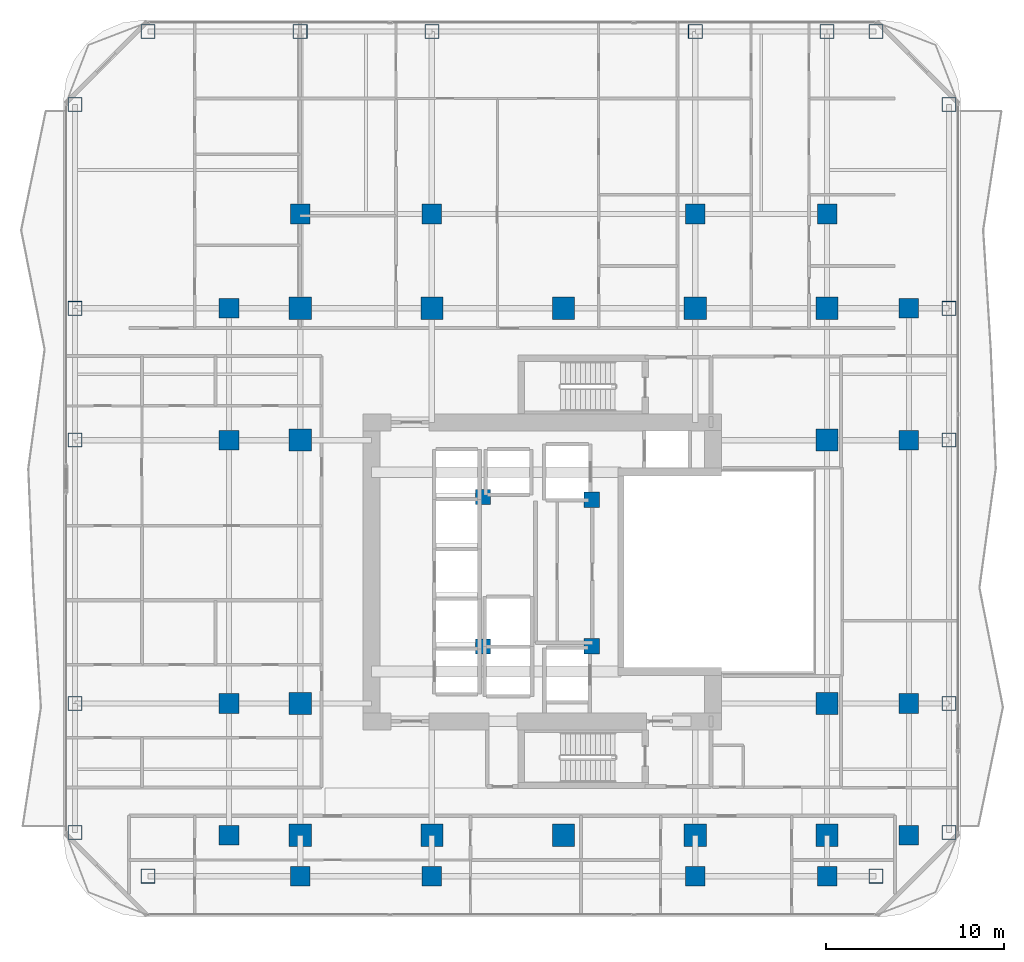
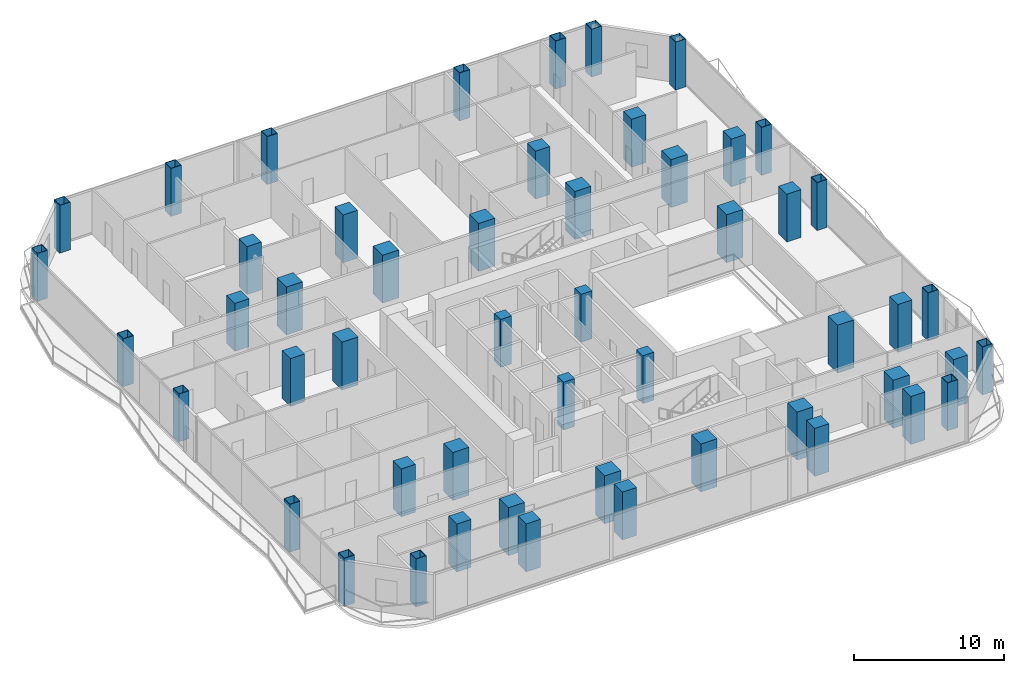
# One storey, part 1 of 27: 52 columns.
"""IFC4 building model written with IfcOpenShell, lengths in metres."""

import ifcopenshell
import ifcopenshell.guid

model = None  # the IFC model being written
_history = None  # IfcOwnerHistory: only IFC2X3 demands one
_inside = {}  # id of a spatial element -> (the spatial element, [elements in it])
_under = {}  # id of a project, library or spatial element -> (it, [spatial elements below it])
_declared = {}  # id of a project -> (the project, [libraries it declares])
_typed = {}  # id of a type object -> (the type object, [elements of that type])
_made_of = {}  # id of a material, layer set ... -> (it, [elements and type objects made of it])


def new_model(schema):
    """Start an empty IFC model of exactly this schema.

    Asked for "IFC4X3", IfcOpenShell would pick the latest addendum, in which some entities
    have other attributes; the version numbers below select the first issue.
    IFC2X3 requires an IfcOwnerHistory on every rooted entity: one is made here for all.
    """
    global model, _history
    if schema == "IFC4X3":
        model = ifcopenshell.file(schema_version=(4, 3, 0, 0))
    else:
        model = ifcopenshell.file(schema=schema)
    _inside.clear()
    _under.clear()
    _declared.clear()
    _typed.clear()
    _made_of.clear()
    _history = None
    if model.schema == "IFC2X3":
        org = make("IfcOrganization", Name="unknown")
        user = make(
            "IfcPersonAndOrganization",
            ThePerson=make("IfcPerson", FamilyName="unknown"),
            TheOrganization=org,
        )
        app = make(
            "IfcApplication",
            ApplicationDeveloper=org,
            Version="unknown",
            ApplicationFullName="unknown",
            ApplicationIdentifier="unknown",
        )
        _history = make(
            "IfcOwnerHistory",
            OwningUser=user,
            OwningApplication=app,
            ChangeAction="ADDED",
            CreationDate=0,
        )
    return model


def make(cls, **values):
    """One entity of the class cls with the attributes given. An attribute that is None is left unset."""
    return model.create_entity(
        cls, **{name: value for name, value in values.items() if value is not None}
    )


def rooted(cls, **values):
    """An entity with a GlobalId (a new one), such as an element, a storey or a relation."""
    return make(cls, GlobalId=ifcopenshell.guid.new(), OwnerHistory=_history, **values)


def si_unit(unit_type, name, prefix=None):
    """IfcSIUnit, for example si_unit("LENGTHUNIT", "METRE", prefix="MILLI")."""
    return make("IfcSIUnit", UnitType=unit_type, Prefix=prefix, Name=name)


def assignment(units):
    """IfcUnitAssignment: the units of a project."""
    return None if units is None else make("IfcUnitAssignment", Units=units)


def point(xyz):
    """IfcCartesianPoint."""
    return None if xyz is None else make("IfcCartesianPoint", Coordinates=xyz)


def direction(xyz):
    """IfcDirection."""
    return None if xyz is None else make("IfcDirection", DirectionRatios=xyz)


def frame(location, z_axis=None, x_axis=None):
    """IfcAxis2Placement3D, a coordinate frame: its origin and axes. An axis left out is left unset."""
    return make(
        "IfcAxis2Placement3D",
        Location=point(location),
        Axis=direction(z_axis),
        RefDirection=direction(x_axis),
    )


def frame_2d(location, x_axis=None):
    """IfcAxis2Placement2D, a coordinate frame in the plane: its origin and x axis."""
    return make(
        "IfcAxis2Placement2D", Location=point(location), RefDirection=direction(x_axis)
    )


def origin():
    """The frame at (0, 0, 0) with its axes left unset."""
    return frame((0.0, 0.0, 0.0))


def origin_2d():
    """The frame at (0, 0) in the plane with its x axis left unset."""
    return frame_2d((0.0, 0.0))


def place(relative_to, where):
    """IfcLocalPlacement: puts the frame where relative to a parent placement (None: the world)."""
    return make(
        "IfcLocalPlacement", PlacementRelTo=relative_to, RelativePlacement=where
    )


def context(
    kind, dimensions, precision=None, world=None, true_north=None, identifier=None
):
    """IfcGeometricRepresentationContext, for example the 3D "Model" context."""
    return make(
        "IfcGeometricRepresentationContext",
        ContextIdentifier=identifier,
        ContextType=kind,
        CoordinateSpaceDimension=dimensions,
        Precision=precision,
        WorldCoordinateSystem=world,
        TrueNorth=true_north,
    )


def subcontext(parent, identifier, kind, view, scale=None):
    """IfcGeometricRepresentationSubContext, for example "Body" below "Model"."""
    return make(
        "IfcGeometricRepresentationSubContext",
        ContextIdentifier=identifier,
        ContextType=kind,
        ParentContext=parent,
        TargetScale=scale,
        TargetView=view,
    )


def project(units=None, contexts=None):
    """IfcProject with its units and contexts."""
    return rooted(
        "IfcProject",
        Name="project",
        RepresentationContexts=contexts,
        UnitsInContext=assignment(units),
    )


def spatial(cls, under=None, at=None, **own):
    """A site, building, storey or space (cls), placed at a placement, below another one or the project."""
    s = rooted(cls, ObjectPlacement=at, **own)
    if under is not None:
        _under.setdefault(under.id(), (under, []))[1].append(s)
    return s


def profile(cls, at=None, kind="AREA", **sizes):
    """A parametric profile (cls). Its sizes go by their IFC names, for example OverallWidth=200.0."""
    return make(cls, ProfileType=kind, Position=at, **sizes)


def rectangle(**sizes):
    """IfcRectangleProfileDef."""
    return profile("IfcRectangleProfileDef", **sizes)


def hollow_rectangle(**sizes):
    """IfcRectangleHollowProfileDef."""
    return profile("IfcRectangleHollowProfileDef", **sizes)


def extrude(swept, where, along, depth):
    """IfcExtrudedAreaSolid: the profile swept, set in the frame where, extruded along a direction by depth."""
    return make(
        "IfcExtrudedAreaSolid",
        SweptArea=swept,
        Position=where,
        ExtrudedDirection=direction(along),
        Depth=depth,
    )


def shape(context_of_items, identifier, shape_type, items):
    """IfcShapeRepresentation: the items that make up one representation, for example the "Body"."""
    return make(
        "IfcShapeRepresentation",
        ContextOfItems=context_of_items,
        RepresentationIdentifier=identifier,
        RepresentationType=shape_type,
        Items=items,
    )


def material(Name=None, Category=None):
    """IfcMaterial."""
    return make("IfcMaterial", Name=Name, Category=Category)


def material_profile(
    of_material, cross_section, Name=None, Category=None, Priority=None
):
    """IfcMaterialProfile: a cross section and its material."""
    return make(
        "IfcMaterialProfile",
        Name=Name,
        Material=of_material,
        Profile=cross_section,
        Priority=Priority,
        Category=Category,
    )


def profile_set(profiles, Name=None, composite=None):
    """IfcMaterialProfileSet."""
    return make(
        "IfcMaterialProfileSet",
        Name=Name,
        MaterialProfiles=profiles,
        CompositeProfile=composite,
    )


def made_of(thing, what):
    """Note that an element or type object is made of a material, layer set ...; save() writes the relation."""
    if what is not None:
        _made_of.setdefault(what.id(), (what, []))[1].append(thing)
    return thing


def type_object(cls, material=None, **own):
    """A type object (cls), such as IfcWallType, which elements share."""
    return made_of(rooted(cls, **own), material)


def element(
    cls,
    number,
    at=None,
    inside=None,
    cuts=None,
    type_object=None,
    material=None,
    context=None,
    identifier="Body",
    shape_type=None,
    held_by="IfcProductDefinitionShape",
    body=None,
    shapes=None,
    **own,
):
    """One element of the class cls, such as IfcWall. Its Tag is "e" and its number.

    at: its placement. inside: the storey or other place that contains it. cuts: it is an
    opening in that element (IfcRelVoidsElement). A single representation is given by context,
    identifier, shape_type and body (its items); several are given by shapes. held_by: the class
    of the entity that holds the representations. save() writes the other relations.
    """
    e = rooted(cls, Tag="e%d" % number, ObjectPlacement=at, **own)
    if body is not None:
        shapes = [shape(context, identifier, shape_type, body)]
    if shapes is not None:
        e.Representation = make(held_by, Representations=shapes)
    if inside is not None:
        _inside.setdefault(inside.id(), (inside, []))[1].append(e)
    if cuts is not None:
        rooted(
            "IfcRelVoidsElement", RelatingBuildingElement=cuts, RelatedOpeningElement=e
        )
    if type_object is not None:
        _typed.setdefault(type_object.id(), (type_object, []))[1].append(e)
    return made_of(e, material)


def aggregate(whole, parts):
    """IfcRelAggregates: a whole, such as a stair, and the parts it consists of."""
    return rooted("IfcRelAggregates", RelatingObject=whole, RelatedObjects=parts)


def save(model, path):
    """Write the relations noted so far, then the file.

    IfcRelAggregates (storeys below a building ...), IfcRelContainedInSpatialStructure (elements
    in a storey), IfcRelDefinesByType, IfcRelAssociatesMaterial and IfcRelDeclares: one each for
    every whole, place, type object, material and project.
    """
    for whole, parts in _under.values():
        aggregate(whole, parts)
    for where, things in _inside.values():
        rooted(
            "IfcRelContainedInSpatialStructure",
            RelatedElements=things,
            RelatingStructure=where,
        )
    for kind, things in _typed.values():
        rooted("IfcRelDefinesByType", RelatedObjects=things, RelatingType=kind)
    for what, things in _made_of.values():
        rooted("IfcRelAssociatesMaterial", RelatedObjects=things, RelatingMaterial=what)
    for by, libraries in _declared.values():
        rooted("IfcRelDeclares", RelatingContext=by, RelatedDefinitions=libraries)
    model.write(path)


model = new_model("IFC4")

# Units and contexts
model_context = context("Model", 3, precision=1e-05, world=origin(), true_north=direction((0.0, 1.0)))
body_context = subcontext(model_context, "Body", "Model", "MODEL_VIEW")
ifc_project = project(units=[si_unit("LENGTHUNIT", "METRE"), si_unit("AREAUNIT", "SQUARE_METRE"), si_unit("VOLUMEUNIT", "CUBIC_METRE"), si_unit("PLANEANGLEUNIT", "RADIAN"), si_unit("MASSUNIT", "GRAM", prefix="KILO")], contexts=[model_context])

# Site, building, storey
site_placement = place(None, origin())
site = spatial("IfcSite", under=ifc_project, at=site_placement, CompositionType="ELEMENT")
building_placement = place(site_placement, origin())
building = spatial("IfcBuilding", under=site, at=building_placement, Name="Khorvyn Point Tower", CompositionType="ELEMENT")
storey_placement = place(building_placement, frame((0.0, 0.0, 96.89990234375)))
storey = spatial("IfcBuildingStorey", under=building, at=storey_placement, Name="L24", CompositionType="ELEMENT", Elevation=96.89990234375)

# Columns
ifc_material_1 = material(Name="Concrete C40/50", Category="concrete")
ifc_material_profile_1 = material_profile(ifc_material_1, rectangle(XDim=0.85009765625, YDim=0.85009765625, at=origin_2d()))
ifc_profile_set_1 = profile_set([ifc_material_profile_1], Name="Concrete C40/50 RC850x850")
column_type_1 = type_object("IfcColumnType", Name="Concrete C40/50 Column RC850x850", PredefinedType="COLUMN", material=ifc_profile_set_1)
for number, where, z_axis, x_axis, name in (
    (1, (-4.52001953125, -4.199951171875, 0.0), (0.0, 0.0, 1.0), (1.0, 0.0, 0.0), "L24 Crown Core Spine Column 1"),
    (2, (1.580078125, -4.179931640625, 0.0), (0.0, 0.0, 1.0), (1.0, 0.0, 0.0), "L24 Crown Core Spine Column 2"),
    (3, (1.580078125, 4.050048828125, 0.0), (0.0, 0.0, 1.0), (1.0, 0.0, 0.0), "L24 Crown Core Spine Column 3"),
    (4, (-4.52001953125, 4.199951171875, 0.0), (0.0, 0.0, 1.0), (1.0, 0.0, 0.0), "L24 Crown Core Spine Column 4"),
):
    element("IfcColumn", number, at=place(storey_placement, frame(where, z_axis=z_axis, x_axis=x_axis)), inside=storey, type_object=column_type_1, Name=name, PredefinedType="COLUMN", context=body_context, shape_type="SweptSolid", body=[
        extrude(rectangle(XDim=0.85009765625, YDim=0.85009765625, at=origin_2d()), origin(), (0.0, 0.0, 1.0), 3.900146484375),
    ])
ifc_material_2 = material(Name="Concrete C45/55", Category="concrete")
ifc_material_profile_2 = material_profile(ifc_material_2, rectangle(XDim=1.10009765625, YDim=1.10009765625, at=origin_2d()))
ifc_profile_set_2 = profile_set([ifc_material_profile_2], Name="Concrete C45/55 RC1100x1100")
column_type_2 = type_object("IfcColumnType", Name="Concrete C45/55 Column RC1100x1100", PredefinedType="COLUMN", material=ifc_profile_set_2)
for number, where, z_axis, x_axis, name in (
    (5, (-18.800048828125, -14.800048828125, 0.0), (0.0, 0.0, 1.0), (1.0, 0.0, 0.0), "L24 Intermediate Column ICW--14"),
    (6, (-18.800048828125, -7.39990234375, 0.0), (0.0, 0.0, 1.0), (1.0, 0.0, 0.0), "L24 Intermediate Column ICW--7"),
    (7, (-18.800048828125, 7.39990234375, 0.0), (0.0, 0.0, 1.0), (1.0, 0.0, 0.0), "L24 Intermediate Column ICW-7"),
    (8, (-18.800048828125, 14.800048828125, 0.0), (0.0, 0.0, 1.0), (1.0, 0.0, 0.0), "L24 Intermediate Column ICW-14"),
    (9, (19.39990234375, -14.800048828125, 0.0), (0.0, 0.0, 1.0), (1.0, 0.0, 0.0), "L24 Intermediate Column ICE--14"),
    (10, (19.39990234375, -7.39990234375, 0.0), (0.0, 0.0, 1.0), (1.0, 0.0, 0.0), "L24 Intermediate Column ICE--7"),
    (11, (19.39990234375, 7.39990234375, 0.0), (0.0, 0.0, 1.0), (1.0, 0.0, 0.0), "L24 Intermediate Column ICE-7"),
    (12, (19.39990234375, 14.800048828125, 0.0), (0.0, 0.0, 1.0), (1.0, 0.0, 0.0), "L24 Intermediate Column ICE-14"),
    (13, (-14.800048828125, -17.10009765625, 0.0), (0.0, 0.0, 1.0), (1.0, 0.0, 0.0), "L24 Intermediate Column ICS--14"),
    (14, (-7.39990234375, -17.10009765625, 0.0), (0.0, 0.0, 1.0), (1.0, 0.0, 0.0), "L24 Intermediate Column ICS--7"),
    (15, (7.39990234375, -17.10009765625, 0.0), (0.0, 0.0, 1.0), (1.0, 0.0, 0.0), "L24 Intermediate Column ICS-7"),
    (16, (14.800048828125, -17.10009765625, 0.0), (0.0, 0.0, 1.0), (1.0, 0.0, 0.0), "L24 Intermediate Column ICS-14"),
    (17, (-14.800048828125, 20.10009765625, 0.0), (0.0, 0.0, 1.0), (1.0, 0.0, 0.0), "L24 Intermediate Column ICN--14"),
    (18, (-7.39990234375, 20.10009765625, 0.0), (0.0, 0.0, 1.0), (1.0, 0.0, 0.0), "L24 Intermediate Column ICN--7"),
    (19, (7.39990234375, 20.10009765625, 0.0), (0.0, 0.0, 1.0), (1.0, 0.0, 0.0), "L24 Intermediate Column ICN-7"),
    (20, (14.800048828125, 20.10009765625, 0.0), (0.0, 0.0, 1.0), (1.0, 0.0, 0.0), "L24 Intermediate Column ICN-14"),
):
    element("IfcColumn", number, at=place(storey_placement, frame(where, z_axis=z_axis, x_axis=x_axis)), inside=storey, type_object=column_type_2, Name=name, PredefinedType="COLUMN", context=body_context, shape_type="SweptSolid", body=[
        extrude(rectangle(XDim=1.10009765625, YDim=1.10009765625, at=origin_2d()), origin(), (0.0, 0.0, 1.0), 3.900146484375),
    ])
ifc_material_3 = material(Name="Concrete C50/60", Category="concrete")
ifc_material_profile_3 = material_profile(ifc_material_3, rectangle(XDim=1.25, YDim=1.25, at=origin_2d()))
ifc_profile_set_3 = profile_set([ifc_material_profile_3], Name="Concrete C50/60 RC1250x1250")
column_type_3 = type_object("IfcColumnType", Name="Concrete C50/60 Column RC1250x1250", PredefinedType="COLUMN", material=ifc_profile_set_3)
for number, where, z_axis, x_axis, name in (
    (21, (-14.800048828125, -14.800048828125, 0.0), (0.0, 0.0, 1.0), (1.0, 0.0, 0.0), "L24 Mega-Column MC-01"),
    (22, (-7.39990234375, -14.800048828125, 0.0), (0.0, 0.0, 1.0), (1.0, 0.0, 0.0), "L24 Mega-Column MC-02"),
    (23, (0.0, -14.800048828125, 0.0), (0.0, 0.0, 1.0), (1.0, 0.0, 0.0), "L24 Mega-Column MC-03"),
    (24, (7.39990234375, -14.800048828125, 0.0), (0.0, 0.0, 1.0), (1.0, 0.0, 0.0), "L24 Mega-Column MC-04"),
    (25, (14.800048828125, -14.800048828125, 0.0), (0.0, 0.0, 1.0), (1.0, 0.0, 0.0), "L24 Mega-Column MC-05"),
    (26, (-14.800048828125, 14.800048828125, 0.0), (0.0, 0.0, 1.0), (1.0, 0.0, 0.0), "L24 Mega-Column MC-06"),
    (27, (-7.39990234375, 14.800048828125, 0.0), (0.0, 0.0, 1.0), (1.0, 0.0, 0.0), "L24 Mega-Column MC-07"),
    (28, (0.0, 14.800048828125, 0.0), (0.0, 0.0, 1.0), (1.0, 0.0, 0.0), "L24 Mega-Column MC-08"),
    (29, (7.39990234375, 14.800048828125, 0.0), (0.0, 0.0, 1.0), (1.0, 0.0, 0.0), "L24 Mega-Column MC-09"),
    (30, (14.800048828125, 14.800048828125, 0.0), (0.0, 0.0, 1.0), (1.0, 0.0, 0.0), "L24 Mega-Column MC-10"),
    (31, (-14.800048828125, -7.39990234375, 0.0), (0.0, 0.0, 1.0), (1.0, 0.0, 0.0), "L24 Mega-Column MC-11"),
    (32, (-14.800048828125, 7.39990234375, 0.0), (0.0, 0.0, 1.0), (1.0, 0.0, 0.0), "L24 Mega-Column MC-12"),
    (33, (14.800048828125, -7.39990234375, 0.0), (0.0, 0.0, 1.0), (1.0, 0.0, 0.0), "L24 Mega-Column MC-13"),
    (34, (14.800048828125, 7.39990234375, 0.0), (0.0, 0.0, 1.0), (1.0, 0.0, 0.0), "L24 Mega-Column MC-14"),
):
    element("IfcColumn", number, at=place(storey_placement, frame(where, z_axis=z_axis, x_axis=x_axis)), inside=storey, type_object=column_type_3, Name=name, PredefinedType="COLUMN", context=body_context, shape_type="SweptSolid", body=[
        extrude(rectangle(XDim=1.25, YDim=1.25, at=origin_2d()), origin(), (0.0, 0.0, 1.0), 3.900146484375),
    ])
ifc_material_4 = material(Name="Steel S450", Category="steel")
ifc_material_profile_4 = material_profile(ifc_material_4, hollow_rectangle(XDim=0.800048828125, YDim=0.800048828125, WallThickness=0.035888671875, at=origin_2d()))
ifc_profile_set_4 = profile_set([ifc_material_profile_4], Name="Steel S450 BOX800x800x36")
column_type_4 = type_object("IfcColumnType", Name="Steel S450 Structural Column BOX800x800x36", PredefinedType="COLUMN", material=ifc_profile_set_4)
for number, where, z_axis, x_axis, name in (
    (35, (-23.35009765625, -17.10009765625, 0.0), (0.0, 0.0, 1.0), (1.0, 0.0, 0.0), "L24 Perimeter Tube Column TC-01"),
    (36, (17.550048828125, -17.10009765625, 0.0), (0.0, 0.0, 1.0), (1.0, 0.0, 0.0), "L24 Perimeter Tube Column TC-02"),
    (37, (-23.35009765625, 30.35009765625, 0.0), (0.0, 0.0, 1.0), (1.0, 0.0, 0.0), "L24 Perimeter Tube Column TC-03"),
    (38, (17.550048828125, 30.35009765625, 0.0), (0.0, 0.0, 1.0), (1.0, 0.0, 0.0), "L24 Perimeter Tube Column TC-04"),
    (39, (-27.449951171875, -14.64990234375, 0.0), (0.0, 0.0, 1.0), (1.0, 0.0, 0.0), "L24 Perimeter Tube Column TC-05"),
    (40, (-27.449951171875, 26.25, 0.0), (0.0, 0.0, 1.0), (1.0, 0.0, 0.0), "L24 Perimeter Tube Column TC-06"),
    (41, (21.64990234375, -14.64990234375, 0.0), (0.0, 0.0, 1.0), (1.0, 0.0, 0.0), "L24 Perimeter Tube Column TC-07"),
    (42, (21.64990234375, 26.25, 0.0), (0.0, 0.0, 1.0), (1.0, 0.0, 0.0), "L24 Perimeter Tube Column TC-08"),
    (43, (-14.800048828125, 30.35009765625, 0.0), (0.0, 0.0, 1.0), (1.0, 0.0, 0.0), "L24 Perimeter Tube Column TC-09"),
    (44, (-7.39990234375, 30.35009765625, 0.0), (0.0, 0.0, 1.0), (1.0, 0.0, 0.0), "L24 Perimeter Tube Column TC-10"),
    (45, (7.39990234375, 30.35009765625, 0.0), (0.0, 0.0, 1.0), (1.0, 0.0, 0.0), "L24 Perimeter Tube Column TC-11"),
    (46, (14.800048828125, 30.35009765625, 0.0), (0.0, 0.0, 1.0), (1.0, 0.0, 0.0), "L24 Perimeter Tube Column TC-12"),
    (47, (-27.449951171875, -7.39990234375, 0.0), (0.0, 0.0, 1.0), (1.0, 0.0, 0.0), "L24 Perimeter Tube Column TC-13"),
    (48, (21.64990234375, -7.39990234375, 0.0), (0.0, 0.0, 1.0), (1.0, 0.0, 0.0), "L24 Perimeter Tube Column TC-14"),
    (49, (-27.449951171875, 7.39990234375, 0.0), (0.0, 0.0, 1.0), (1.0, 0.0, 0.0), "L24 Perimeter Tube Column TC-15"),
    (50, (21.64990234375, 7.39990234375, 0.0), (0.0, 0.0, 1.0), (1.0, 0.0, 0.0), "L24 Perimeter Tube Column TC-16"),
    (51, (-27.449951171875, 14.800048828125, 0.0), (0.0, 0.0, 1.0), (1.0, 0.0, 0.0), "L24 Perimeter Tube Column TC-17"),
    (52, (21.64990234375, 14.800048828125, 0.0), (0.0, 0.0, 1.0), (1.0, 0.0, 0.0), "L24 Perimeter Tube Column TC-18"),
):
    element("IfcColumn", number, at=place(storey_placement, frame(where, z_axis=z_axis, x_axis=x_axis)), inside=storey, type_object=column_type_4, Name=name, PredefinedType="COLUMN", context=body_context, shape_type="SweptSolid", body=[
        extrude(hollow_rectangle(XDim=0.800048828125, YDim=0.800048828125, WallThickness=0.035888671875, at=origin_2d()), origin(), (0.0, 0.0, 1.0), 3.900146484375),
    ])

save(model, "model.ifc")
